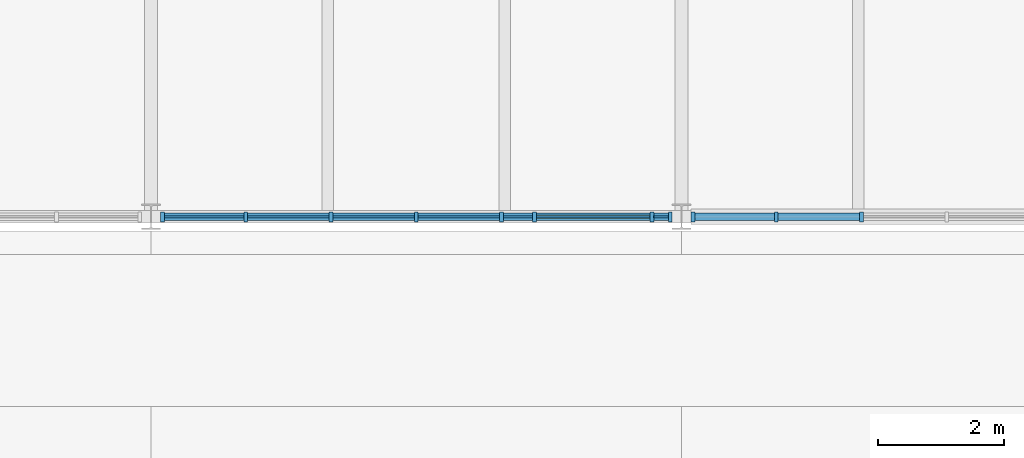
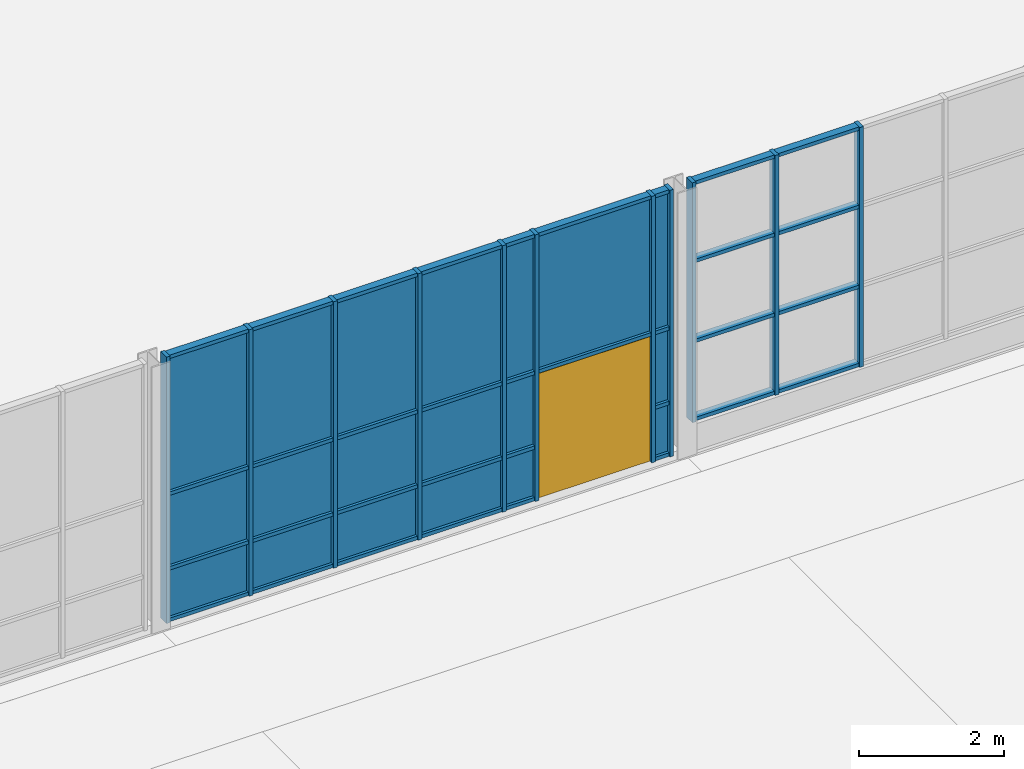
# One storey, part 43 of 116: 45 members, 19 plates, 1 door, 1 opening, 2 elements without a shape of their own.
"""IFC4 building model written with IfcOpenShell, lengths in metres."""

from ifc_helpers import new_model, si_unit, direction, frame, frame_2d, origin, origin_2d, place, context, subcontext, project, spatial, rectangle, extrude, material, layer, layer_set, material_profile, profile_set, type_object, element, fill, aggregate, save


model = new_model("IFC4")

# Units and contexts
model_context = context("Model", 3, precision=1e-05, world=origin(), true_north=direction((0.0, 1.0)))
body_context = subcontext(model_context, "Body", "Model", "MODEL_VIEW")
ifc_project = project(units=[si_unit("LENGTHUNIT", "METRE"), si_unit("AREAUNIT", "SQUARE_METRE"), si_unit("VOLUMEUNIT", "CUBIC_METRE"), si_unit("PLANEANGLEUNIT", "RADIAN"), si_unit("MASSUNIT", "GRAM", prefix="KILO")], contexts=[model_context])

# Site, building, storey
site_placement = place(None, origin())
site = spatial("IfcSite", under=ifc_project, at=site_placement, CompositionType="ELEMENT")
building_placement = place(site_placement, origin())
building = spatial("IfcBuilding", under=site, at=building_placement, Name="Ardhachandra Cancer Care Centre", CompositionType="ELEMENT")
storey_placement = place(building_placement, origin())
storey = spatial("IfcBuildingStorey", under=building, at=storey_placement, Name="L00", CompositionType="ELEMENT", Elevation=0.0)

# Curtain wall, opening, members
ifc_material_1 = material(Name="Aluminium extrusion", Category="aluminium")
ifc_layer_1 = layer(ifc_material_1, 0.14990234375)
ifc_layer_set_1 = layer_set([ifc_layer_1], Name="Aluminium extrusion")
curtain_wall_type = type_object("IfcCurtainWallType", Name="Curtain wall run", PredefinedType="NOTDEFINED", material=ifc_layer_set_1)
curtain_wall_1_placement = place(storey_placement, frame((86.550048828125, 54.60009765625, 0.0), z_axis=(0.0, 0.0, 1.0), x_axis=(1.0, 0.0, 0.0)))
curtain_wall_1 = element("IfcCurtainWall", 1, at=curtain_wall_1_placement, inside=storey, type_object=curtain_wall_type, Name="Curtain wall L00 s/0086400_0054600", PredefinedType="NOTDEFINED")
opening_placement = place(curtain_wall_1_placement, frame((5.949951171875, 0.0, 0.0)))
opening = element("IfcOpeningElement", 2, at=opening_placement, cuts=curtain_wall_1, Name="Opening L00-X13", PredefinedType="OPENING", context=body_context, shape_type="SweptSolid", body=[
    extrude(rectangle(XDim=1.800048828125, YDim=2.10009765625, at=frame_2d((0.89990234375, 1.050048828125))), frame((0.0, 0.0849609375, 0.0), z_axis=(0.0, -1.0, 0.0), x_axis=(1.0, 0.0, 0.0)), (0.0, 0.0, 1.0), 0.169921875),
])
ifc_material_2 = material(Name="Aluminium extrusion", Category="aluminium")
ifc_material_profile_1 = material_profile(ifc_material_2, rectangle(XDim=0.159912109375, YDim=0.06005859375, at=origin_2d()), Name="Curtain wall mullion 60 x 160")
ifc_profile_set_1 = profile_set([ifc_material_profile_1], Name="Aluminium extrusion")
member_type_1 = type_object("IfcMemberType", Name="Curtain wall mullion 60 x 160", PredefinedType="MULLION", material=ifc_profile_set_1)
member_1_placement = place(storey_placement, frame((86.580078125, 54.60009765625, 0.0), z_axis=(0.0, 0.0, 1.0), x_axis=(0.0, 1.0, 0.0)))
member_1 = element("IfcMember", 3, at=member_1_placement, type_object=member_type_1, Name="CW mullion 1", PredefinedType="MULLION", context=body_context, shape_type="SweptSolid", body=[
    extrude(rectangle(XDim=0.159912109375, YDim=0.06005859375, at=origin_2d()), origin(), (0.0, 0.0, 1.0), 4.5),
])
member_2_placement = place(storey_placement, frame((87.89990234375, 54.60009765625, 0.0), z_axis=(0.0, 0.0, 1.0), x_axis=(0.0, 1.0, 0.0)))
member_2 = element("IfcMember", 4, at=member_2_placement, type_object=member_type_1, Name="CW mullion 2", PredefinedType="MULLION", context=body_context, shape_type="SweptSolid", body=[
    extrude(rectangle(XDim=0.159912109375, YDim=0.06005859375, at=origin_2d()), origin(), (0.0, 0.0, 1.0), 4.5),
])
member_3_placement = place(storey_placement, frame((89.25, 54.60009765625, 0.0), z_axis=(0.0, 0.0, 1.0), x_axis=(0.0, 1.0, 0.0)))
member_3 = element("IfcMember", 5, at=member_3_placement, type_object=member_type_1, Name="CW mullion 3", PredefinedType="MULLION", context=body_context, shape_type="SweptSolid", body=[
    extrude(rectangle(XDim=0.159912109375, YDim=0.06005859375, at=origin_2d()), origin(), (0.0, 0.0, 1.0), 4.5),
])
member_4_placement = place(storey_placement, frame((90.60009765625, 54.60009765625, 0.0), z_axis=(0.0, 0.0, 1.0), x_axis=(0.0, 1.0, 0.0)))
member_4 = element("IfcMember", 6, at=member_4_placement, type_object=member_type_1, Name="CW mullion 4", PredefinedType="MULLION", context=body_context, shape_type="SweptSolid", body=[
    extrude(rectangle(XDim=0.159912109375, YDim=0.06005859375, at=origin_2d()), origin(), (0.0, 0.0, 1.0), 4.5),
])
member_5_placement = place(storey_placement, frame((91.949951171875, 54.60009765625, 0.0), z_axis=(0.0, 0.0, 1.0), x_axis=(0.0, 1.0, 0.0)))
member_5 = element("IfcMember", 7, at=member_5_placement, type_object=member_type_1, Name="CW mullion 5", PredefinedType="MULLION", context=body_context, shape_type="SweptSolid", body=[
    extrude(rectangle(XDim=0.159912109375, YDim=0.06005859375, at=origin_2d()), origin(), (0.0, 0.0, 1.0), 4.5),
])
member_6_placement = place(storey_placement, frame((92.469970703125, 54.60009765625, 0.0), z_axis=(0.0, 0.0, 1.0), x_axis=(0.0, 1.0, 0.0)))
member_6 = element("IfcMember", 8, at=member_6_placement, type_object=member_type_1, Name="CW mullion 6", PredefinedType="MULLION", context=body_context, shape_type="SweptSolid", body=[
    extrude(rectangle(XDim=0.159912109375, YDim=0.06005859375, at=origin_2d()), origin(), (0.0, 0.0, 1.0), 4.5),
])
member_7_placement = place(storey_placement, frame((94.330078125, 54.60009765625, 0.0), z_axis=(0.0, 0.0, 1.0), x_axis=(0.0, 1.0, 0.0)))
member_7 = element("IfcMember", 9, at=member_7_placement, type_object=member_type_1, Name="CW mullion 7", PredefinedType="MULLION", context=body_context, shape_type="SweptSolid", body=[
    extrude(rectangle(XDim=0.159912109375, YDim=0.06005859375, at=origin_2d()), origin(), (0.0, 0.0, 1.0), 4.5),
])
member_8_placement = place(storey_placement, frame((94.6201171875, 54.60009765625, 0.0), z_axis=(0.0, 0.0, 1.0), x_axis=(0.0, 1.0, 0.0)))
member_8 = element("IfcMember", 10, at=member_8_placement, type_object=member_type_1, Name="CW mullion 8", PredefinedType="MULLION", context=body_context, shape_type="SweptSolid", body=[
    extrude(rectangle(XDim=0.159912109375, YDim=0.06005859375, at=origin_2d()), origin(), (0.0, 0.0, 1.0), 4.5),
])

# Curtain wall, members
curtain_wall_2_placement = place(storey_placement, origin())
curtain_wall_2 = element("IfcCurtainWall", 11, at=curtain_wall_2_placement, inside=storey, type_object=curtain_wall_type, Name="Curtain wall L00 s/0094800_0054600", PredefinedType="NOTDEFINED")
member_9_placement = place(storey_placement, frame((94.97998046875, 54.60009765625, 0.449951171875), z_axis=(0.0, 0.0, 1.0), x_axis=(0.0, 1.0, 0.0)))
member_9 = element("IfcMember", 12, at=member_9_placement, type_object=member_type_1, Name="CW mullion 1", PredefinedType="MULLION", context=body_context, shape_type="SweptSolid", body=[
    extrude(rectangle(XDim=0.159912109375, YDim=0.06005859375, at=origin_2d()), origin(), (0.0, 0.0, 1.0), 4.050048828125),
])
member_10_placement = place(storey_placement, frame((96.300048828125, 54.60009765625, 0.449951171875), z_axis=(0.0, 0.0, 1.0), x_axis=(0.0, 1.0, 0.0)))
member_10 = element("IfcMember", 13, at=member_10_placement, type_object=member_type_1, Name="CW mullion 2", PredefinedType="MULLION", context=body_context, shape_type="SweptSolid", body=[
    extrude(rectangle(XDim=0.159912109375, YDim=0.06005859375, at=origin_2d()), origin(), (0.0, 0.0, 1.0), 4.050048828125),
])
member_11_placement = place(storey_placement, frame((97.64990234375, 54.60009765625, 0.449951171875), z_axis=(0.0, 0.0, 1.0), x_axis=(0.0, 1.0, 0.0)))
member_11 = element("IfcMember", 14, at=member_11_placement, type_object=member_type_1, Name="CW mullion 3", PredefinedType="MULLION", context=body_context, shape_type="SweptSolid", body=[
    extrude(rectangle(XDim=0.159912109375, YDim=0.06005859375, at=origin_2d()), origin(), (0.0, 0.0, 1.0), 4.050048828125),
])

# Member
ifc_material_3 = material(Name="Aluminium extrusion", Category="aluminium")
ifc_material_profile_2 = material_profile(ifc_material_3, rectangle(XDim=0.1201171875, YDim=0.06005859375, at=origin_2d()), Name="Curtain wall transom 60 x 120")
ifc_profile_set_2 = profile_set([ifc_material_profile_2], Name="Aluminium extrusion")
member_type_2 = type_object("IfcMemberType", Name="Curtain wall transom 60 x 120", PredefinedType="USERDEFINED", material=ifc_profile_set_2)
member_12_placement = place(storey_placement, frame((86.610107421875, 54.60009765625, 0.030029296875), z_axis=(1.0, 0.0, 0.0), x_axis=(0.0, 1.0, 0.0)))
member_12 = element("IfcMember", 15, at=member_12_placement, type_object=member_type_2, Name="CW transom 1.1", ObjectType="TRANSOM", PredefinedType="USERDEFINED", context=body_context, shape_type="SweptSolid", body=[
    extrude(rectangle(XDim=0.1201171875, YDim=0.06005859375, at=origin_2d()), origin(), (0.0, 0.0, 1.0), 1.260009765625),
])

member_13_placement = place(storey_placement, frame((86.610107421875, 54.60009765625, 0.89990234375), z_axis=(1.0, 0.0, 0.0), x_axis=(0.0, 1.0, 0.0)))
member_13 = element("IfcMember", 16, at=member_13_placement, type_object=member_type_2, Name="CW transom 1.2", ObjectType="TRANSOM", PredefinedType="USERDEFINED", context=body_context, shape_type="SweptSolid", body=[
    extrude(rectangle(XDim=0.1201171875, YDim=0.06005859375, at=origin_2d()), origin(), (0.0, 0.0, 1.0), 1.260009765625),
])

member_14_placement = place(storey_placement, frame((86.610107421875, 54.60009765625, 2.159912109375), z_axis=(1.0, 0.0, 0.0), x_axis=(0.0, 1.0, 0.0)))
member_14 = element("IfcMember", 17, at=member_14_placement, type_object=member_type_2, Name="CW transom 1.3", ObjectType="TRANSOM", PredefinedType="USERDEFINED", context=body_context, shape_type="SweptSolid", body=[
    extrude(rectangle(XDim=0.1201171875, YDim=0.06005859375, at=origin_2d()), origin(), (0.0, 0.0, 1.0), 1.260009765625),
])

member_15_placement = place(storey_placement, frame((86.610107421875, 54.60009765625, 4.469970703125), z_axis=(1.0, 0.0, 0.0), x_axis=(0.0, 1.0, 0.0)))
member_15 = element("IfcMember", 18, at=member_15_placement, type_object=member_type_2, Name="CW transom 1.4", ObjectType="TRANSOM", PredefinedType="USERDEFINED", context=body_context, shape_type="SweptSolid", body=[
    extrude(rectangle(XDim=0.1201171875, YDim=0.06005859375, at=origin_2d()), origin(), (0.0, 0.0, 1.0), 1.260009765625),
])

member_16_placement = place(storey_placement, frame((87.929931640625, 54.60009765625, 0.030029296875), z_axis=(1.0, 0.0, 0.0), x_axis=(0.0, 1.0, 0.0)))
member_16 = element("IfcMember", 19, at=member_16_placement, type_object=member_type_2, Name="CW transom 2.1", ObjectType="TRANSOM", PredefinedType="USERDEFINED", context=body_context, shape_type="SweptSolid", body=[
    extrude(rectangle(XDim=0.1201171875, YDim=0.06005859375, at=origin_2d()), origin(), (0.0, 0.0, 1.0), 1.2900390625),
])

member_17_placement = place(storey_placement, frame((87.929931640625, 54.60009765625, 0.89990234375), z_axis=(1.0, 0.0, 0.0), x_axis=(0.0, 1.0, 0.0)))
member_17 = element("IfcMember", 20, at=member_17_placement, type_object=member_type_2, Name="CW transom 2.2", ObjectType="TRANSOM", PredefinedType="USERDEFINED", context=body_context, shape_type="SweptSolid", body=[
    extrude(rectangle(XDim=0.1201171875, YDim=0.06005859375, at=origin_2d()), origin(), (0.0, 0.0, 1.0), 1.2900390625),
])

member_18_placement = place(storey_placement, frame((87.929931640625, 54.60009765625, 2.159912109375), z_axis=(1.0, 0.0, 0.0), x_axis=(0.0, 1.0, 0.0)))
member_18 = element("IfcMember", 21, at=member_18_placement, type_object=member_type_2, Name="CW transom 2.3", ObjectType="TRANSOM", PredefinedType="USERDEFINED", context=body_context, shape_type="SweptSolid", body=[
    extrude(rectangle(XDim=0.1201171875, YDim=0.06005859375, at=origin_2d()), origin(), (0.0, 0.0, 1.0), 1.2900390625),
])

member_19_placement = place(storey_placement, frame((87.929931640625, 54.60009765625, 4.469970703125), z_axis=(1.0, 0.0, 0.0), x_axis=(0.0, 1.0, 0.0)))
member_19 = element("IfcMember", 22, at=member_19_placement, type_object=member_type_2, Name="CW transom 2.4", ObjectType="TRANSOM", PredefinedType="USERDEFINED", context=body_context, shape_type="SweptSolid", body=[
    extrude(rectangle(XDim=0.1201171875, YDim=0.06005859375, at=origin_2d()), origin(), (0.0, 0.0, 1.0), 1.2900390625),
])

member_20_placement = place(storey_placement, frame((89.280029296875, 54.60009765625, 0.030029296875), z_axis=(1.0, 0.0, 0.0), x_axis=(0.0, 1.0, 0.0)))
member_20 = element("IfcMember", 23, at=member_20_placement, type_object=member_type_2, Name="CW transom 3.1", ObjectType="TRANSOM", PredefinedType="USERDEFINED", context=body_context, shape_type="SweptSolid", body=[
    extrude(rectangle(XDim=0.1201171875, YDim=0.06005859375, at=origin_2d()), origin(), (0.0, 0.0, 1.0), 1.2900390625),
])

member_21_placement = place(storey_placement, frame((89.280029296875, 54.60009765625, 0.89990234375), z_axis=(1.0, 0.0, 0.0), x_axis=(0.0, 1.0, 0.0)))
member_21 = element("IfcMember", 24, at=member_21_placement, type_object=member_type_2, Name="CW transom 3.2", ObjectType="TRANSOM", PredefinedType="USERDEFINED", context=body_context, shape_type="SweptSolid", body=[
    extrude(rectangle(XDim=0.1201171875, YDim=0.06005859375, at=origin_2d()), origin(), (0.0, 0.0, 1.0), 1.2900390625),
])

member_22_placement = place(storey_placement, frame((89.280029296875, 54.60009765625, 2.159912109375), z_axis=(1.0, 0.0, 0.0), x_axis=(0.0, 1.0, 0.0)))
member_22 = element("IfcMember", 25, at=member_22_placement, type_object=member_type_2, Name="CW transom 3.3", ObjectType="TRANSOM", PredefinedType="USERDEFINED", context=body_context, shape_type="SweptSolid", body=[
    extrude(rectangle(XDim=0.1201171875, YDim=0.06005859375, at=origin_2d()), origin(), (0.0, 0.0, 1.0), 1.2900390625),
])

member_23_placement = place(storey_placement, frame((89.280029296875, 54.60009765625, 4.469970703125), z_axis=(1.0, 0.0, 0.0), x_axis=(0.0, 1.0, 0.0)))
member_23 = element("IfcMember", 26, at=member_23_placement, type_object=member_type_2, Name="CW transom 3.4", ObjectType="TRANSOM", PredefinedType="USERDEFINED", context=body_context, shape_type="SweptSolid", body=[
    extrude(rectangle(XDim=0.1201171875, YDim=0.06005859375, at=origin_2d()), origin(), (0.0, 0.0, 1.0), 1.2900390625),
])

member_24_placement = place(storey_placement, frame((90.6298828125, 54.60009765625, 0.030029296875), z_axis=(1.0, 0.0, 0.0), x_axis=(0.0, 1.0, 0.0)))
member_24 = element("IfcMember", 27, at=member_24_placement, type_object=member_type_2, Name="CW transom 4.1", ObjectType="TRANSOM", PredefinedType="USERDEFINED", context=body_context, shape_type="SweptSolid", body=[
    extrude(rectangle(XDim=0.1201171875, YDim=0.06005859375, at=origin_2d()), origin(), (0.0, 0.0, 1.0), 1.2900390625),
])

member_25_placement = place(storey_placement, frame((90.6298828125, 54.60009765625, 0.89990234375), z_axis=(1.0, 0.0, 0.0), x_axis=(0.0, 1.0, 0.0)))
member_25 = element("IfcMember", 28, at=member_25_placement, type_object=member_type_2, Name="CW transom 4.2", ObjectType="TRANSOM", PredefinedType="USERDEFINED", context=body_context, shape_type="SweptSolid", body=[
    extrude(rectangle(XDim=0.1201171875, YDim=0.06005859375, at=origin_2d()), origin(), (0.0, 0.0, 1.0), 1.2900390625),
])

member_26_placement = place(storey_placement, frame((90.6298828125, 54.60009765625, 2.159912109375), z_axis=(1.0, 0.0, 0.0), x_axis=(0.0, 1.0, 0.0)))
member_26 = element("IfcMember", 29, at=member_26_placement, type_object=member_type_2, Name="CW transom 4.3", ObjectType="TRANSOM", PredefinedType="USERDEFINED", context=body_context, shape_type="SweptSolid", body=[
    extrude(rectangle(XDim=0.1201171875, YDim=0.06005859375, at=origin_2d()), origin(), (0.0, 0.0, 1.0), 1.2900390625),
])

member_27_placement = place(storey_placement, frame((90.6298828125, 54.60009765625, 4.469970703125), z_axis=(1.0, 0.0, 0.0), x_axis=(0.0, 1.0, 0.0)))
member_27 = element("IfcMember", 30, at=member_27_placement, type_object=member_type_2, Name="CW transom 4.4", ObjectType="TRANSOM", PredefinedType="USERDEFINED", context=body_context, shape_type="SweptSolid", body=[
    extrude(rectangle(XDim=0.1201171875, YDim=0.06005859375, at=origin_2d()), origin(), (0.0, 0.0, 1.0), 1.2900390625),
])

member_28_placement = place(storey_placement, frame((91.97998046875, 54.60009765625, 0.030029296875), z_axis=(1.0, 0.0, 0.0), x_axis=(0.0, 1.0, 0.0)))
member_28 = element("IfcMember", 31, at=member_28_placement, type_object=member_type_2, Name="CW transom 5.1", ObjectType="TRANSOM", PredefinedType="USERDEFINED", context=body_context, shape_type="SweptSolid", body=[
    extrude(rectangle(XDim=0.1201171875, YDim=0.06005859375, at=origin_2d()), origin(), (0.0, 0.0, 1.0), 0.4599609375),
])

member_29_placement = place(storey_placement, frame((91.97998046875, 54.60009765625, 0.89990234375), z_axis=(1.0, 0.0, 0.0), x_axis=(0.0, 1.0, 0.0)))
member_29 = element("IfcMember", 32, at=member_29_placement, type_object=member_type_2, Name="CW transom 5.2", ObjectType="TRANSOM", PredefinedType="USERDEFINED", context=body_context, shape_type="SweptSolid", body=[
    extrude(rectangle(XDim=0.1201171875, YDim=0.06005859375, at=origin_2d()), origin(), (0.0, 0.0, 1.0), 0.4599609375),
])

member_30_placement = place(storey_placement, frame((91.97998046875, 54.60009765625, 2.159912109375), z_axis=(1.0, 0.0, 0.0), x_axis=(0.0, 1.0, 0.0)))
member_30 = element("IfcMember", 33, at=member_30_placement, type_object=member_type_2, Name="CW transom 5.3", ObjectType="TRANSOM", PredefinedType="USERDEFINED", context=body_context, shape_type="SweptSolid", body=[
    extrude(rectangle(XDim=0.1201171875, YDim=0.06005859375, at=origin_2d()), origin(), (0.0, 0.0, 1.0), 0.4599609375),
])

member_31_placement = place(storey_placement, frame((91.97998046875, 54.60009765625, 4.469970703125), z_axis=(1.0, 0.0, 0.0), x_axis=(0.0, 1.0, 0.0)))
member_31 = element("IfcMember", 34, at=member_31_placement, type_object=member_type_2, Name="CW transom 5.4", ObjectType="TRANSOM", PredefinedType="USERDEFINED", context=body_context, shape_type="SweptSolid", body=[
    extrude(rectangle(XDim=0.1201171875, YDim=0.06005859375, at=origin_2d()), origin(), (0.0, 0.0, 1.0), 0.4599609375),
])

member_32_placement = place(storey_placement, frame((92.5, 54.60009765625, 2.159912109375), z_axis=(1.0, 0.0, 0.0), x_axis=(0.0, 1.0, 0.0)))
member_32 = element("IfcMember", 35, at=member_32_placement, type_object=member_type_2, Name="CW transom 6.1", ObjectType="TRANSOM", PredefinedType="USERDEFINED", context=body_context, shape_type="SweptSolid", body=[
    extrude(rectangle(XDim=0.1201171875, YDim=0.06005859375, at=origin_2d()), origin(), (0.0, 0.0, 1.0), 1.800048828125),
])

member_33_placement = place(storey_placement, frame((92.5, 54.60009765625, 4.469970703125), z_axis=(1.0, 0.0, 0.0), x_axis=(0.0, 1.0, 0.0)))
member_33 = element("IfcMember", 36, at=member_33_placement, type_object=member_type_2, Name="CW transom 6.2", ObjectType="TRANSOM", PredefinedType="USERDEFINED", context=body_context, shape_type="SweptSolid", body=[
    extrude(rectangle(XDim=0.1201171875, YDim=0.06005859375, at=origin_2d()), origin(), (0.0, 0.0, 1.0), 1.800048828125),
])

member_34_placement = place(storey_placement, frame((94.360107421875, 54.60009765625, 0.030029296875), z_axis=(1.0, 0.0, 0.0), x_axis=(0.0, 1.0, 0.0)))
member_34 = element("IfcMember", 37, at=member_34_placement, type_object=member_type_2, Name="CW transom 7.1", ObjectType="TRANSOM", PredefinedType="USERDEFINED", context=body_context, shape_type="SweptSolid", body=[
    extrude(rectangle(XDim=0.1201171875, YDim=0.06005859375, at=origin_2d()), origin(), (0.0, 0.0, 1.0), 0.22998046875),
])

member_35_placement = place(storey_placement, frame((94.360107421875, 54.60009765625, 0.89990234375), z_axis=(1.0, 0.0, 0.0), x_axis=(0.0, 1.0, 0.0)))
member_35 = element("IfcMember", 38, at=member_35_placement, type_object=member_type_2, Name="CW transom 7.2", ObjectType="TRANSOM", PredefinedType="USERDEFINED", context=body_context, shape_type="SweptSolid", body=[
    extrude(rectangle(XDim=0.1201171875, YDim=0.06005859375, at=origin_2d()), origin(), (0.0, 0.0, 1.0), 0.22998046875),
])

member_36_placement = place(storey_placement, frame((94.360107421875, 54.60009765625, 2.159912109375), z_axis=(1.0, 0.0, 0.0), x_axis=(0.0, 1.0, 0.0)))
member_36 = element("IfcMember", 39, at=member_36_placement, type_object=member_type_2, Name="CW transom 7.3", ObjectType="TRANSOM", PredefinedType="USERDEFINED", context=body_context, shape_type="SweptSolid", body=[
    extrude(rectangle(XDim=0.1201171875, YDim=0.06005859375, at=origin_2d()), origin(), (0.0, 0.0, 1.0), 0.22998046875),
])

member_37_placement = place(storey_placement, frame((94.360107421875, 54.60009765625, 4.469970703125), z_axis=(1.0, 0.0, 0.0), x_axis=(0.0, 1.0, 0.0)))
member_37 = element("IfcMember", 40, at=member_37_placement, type_object=member_type_2, Name="CW transom 7.4", ObjectType="TRANSOM", PredefinedType="USERDEFINED", context=body_context, shape_type="SweptSolid", body=[
    extrude(rectangle(XDim=0.1201171875, YDim=0.06005859375, at=origin_2d()), origin(), (0.0, 0.0, 1.0), 0.22998046875),
])

member_38_placement = place(storey_placement, frame((95.010009765625, 54.60009765625, 0.47998046875), z_axis=(1.0, 0.0, 0.0), x_axis=(0.0, 1.0, 0.0)))
member_38 = element("IfcMember", 41, at=member_38_placement, type_object=member_type_2, Name="CW transom 1.1", ObjectType="TRANSOM", PredefinedType="USERDEFINED", context=body_context, shape_type="SweptSolid", body=[
    extrude(rectangle(XDim=0.1201171875, YDim=0.06005859375, at=origin_2d()), origin(), (0.0, 0.0, 1.0), 1.260009765625),
])

member_39_placement = place(storey_placement, frame((95.010009765625, 54.60009765625, 1.800048828125), z_axis=(1.0, 0.0, 0.0), x_axis=(0.0, 1.0, 0.0)))
member_39 = element("IfcMember", 42, at=member_39_placement, type_object=member_type_2, Name="CW transom 1.2", ObjectType="TRANSOM", PredefinedType="USERDEFINED", context=body_context, shape_type="SweptSolid", body=[
    extrude(rectangle(XDim=0.1201171875, YDim=0.06005859375, at=origin_2d()), origin(), (0.0, 0.0, 1.0), 1.260009765625),
])

member_40_placement = place(storey_placement, frame((95.010009765625, 54.60009765625, 3.14990234375), z_axis=(1.0, 0.0, 0.0), x_axis=(0.0, 1.0, 0.0)))
member_40 = element("IfcMember", 43, at=member_40_placement, type_object=member_type_2, Name="CW transom 1.3", ObjectType="TRANSOM", PredefinedType="USERDEFINED", context=body_context, shape_type="SweptSolid", body=[
    extrude(rectangle(XDim=0.1201171875, YDim=0.06005859375, at=origin_2d()), origin(), (0.0, 0.0, 1.0), 1.260009765625),
])

member_41_placement = place(storey_placement, frame((95.010009765625, 54.60009765625, 4.469970703125), z_axis=(1.0, 0.0, 0.0), x_axis=(0.0, 1.0, 0.0)))
member_41 = element("IfcMember", 44, at=member_41_placement, type_object=member_type_2, Name="CW transom 1.4", ObjectType="TRANSOM", PredefinedType="USERDEFINED", context=body_context, shape_type="SweptSolid", body=[
    extrude(rectangle(XDim=0.1201171875, YDim=0.06005859375, at=origin_2d()), origin(), (0.0, 0.0, 1.0), 1.260009765625),
])

member_42_placement = place(storey_placement, frame((96.330078125, 54.60009765625, 0.47998046875), z_axis=(1.0, 0.0, 0.0), x_axis=(0.0, 1.0, 0.0)))
member_42 = element("IfcMember", 45, at=member_42_placement, type_object=member_type_2, Name="CW transom 2.1", ObjectType="TRANSOM", PredefinedType="USERDEFINED", context=body_context, shape_type="SweptSolid", body=[
    extrude(rectangle(XDim=0.1201171875, YDim=0.06005859375, at=origin_2d()), origin(), (0.0, 0.0, 1.0), 1.2900390625),
])

member_43_placement = place(storey_placement, frame((96.330078125, 54.60009765625, 1.800048828125), z_axis=(1.0, 0.0, 0.0), x_axis=(0.0, 1.0, 0.0)))
member_43 = element("IfcMember", 46, at=member_43_placement, type_object=member_type_2, Name="CW transom 2.2", ObjectType="TRANSOM", PredefinedType="USERDEFINED", context=body_context, shape_type="SweptSolid", body=[
    extrude(rectangle(XDim=0.1201171875, YDim=0.06005859375, at=origin_2d()), origin(), (0.0, 0.0, 1.0), 1.2900390625),
])

member_44_placement = place(storey_placement, frame((96.330078125, 54.60009765625, 3.14990234375), z_axis=(1.0, 0.0, 0.0), x_axis=(0.0, 1.0, 0.0)))
member_44 = element("IfcMember", 47, at=member_44_placement, type_object=member_type_2, Name="CW transom 2.3", ObjectType="TRANSOM", PredefinedType="USERDEFINED", context=body_context, shape_type="SweptSolid", body=[
    extrude(rectangle(XDim=0.1201171875, YDim=0.06005859375, at=origin_2d()), origin(), (0.0, 0.0, 1.0), 1.2900390625),
])

member_45_placement = place(storey_placement, frame((96.330078125, 54.60009765625, 4.469970703125), z_axis=(1.0, 0.0, 0.0), x_axis=(0.0, 1.0, 0.0)))
member_45 = element("IfcMember", 48, at=member_45_placement, type_object=member_type_2, Name="CW transom 2.4", ObjectType="TRANSOM", PredefinedType="USERDEFINED", context=body_context, shape_type="SweptSolid", body=[
    extrude(rectangle(XDim=0.1201171875, YDim=0.06005859375, at=origin_2d()), origin(), (0.0, 0.0, 1.0), 1.2900390625),
])

aggregate(curtain_wall_2, [member_9, member_10, member_11, member_38, member_39, member_40, member_41, member_42, member_43, member_44, member_45])

# Plate
ifc_material_4 = material(Name="Low-iron double-glazed unit")
ifc_layer_2 = layer(ifc_material_4, 0.028076171875)
ifc_layer_set_2 = layer_set([ifc_layer_2], Name="Low-iron double-glazed unit")
plate_type = type_object("IfcPlateType", Name="Curtain wall glazing 28", PredefinedType="CURTAIN_PANEL", material=ifc_layer_set_2)
plate_1_placement = place(storey_placement, frame((87.239990234375, 54.60009765625, 0.06005859375), z_axis=(0.0, 0.0, 1.0), x_axis=(1.0, 0.0, 0.0)))
plate_1 = element("IfcPlate", 49, at=plate_1_placement, type_object=plate_type, Name="CW panel 1.1", PredefinedType="CURTAIN_PANEL", context=body_context, shape_type="SweptSolid", body=[
    extrude(rectangle(XDim=1.260009765625, YDim=0.028076171875, at=origin_2d()), origin(), (0.0, 0.0, 1.0), 0.81005859375),
])

plate_2_placement = place(storey_placement, frame((87.239990234375, 54.60009765625, 0.93017578125), z_axis=(0.0, 0.0, 1.0), x_axis=(1.0, 0.0, 0.0)))
plate_2 = element("IfcPlate", 50, at=plate_2_placement, type_object=plate_type, Name="CW panel 1.2", PredefinedType="CURTAIN_PANEL", context=body_context, shape_type="SweptSolid", body=[
    extrude(rectangle(XDim=1.260009765625, YDim=0.028076171875, at=origin_2d()), origin(), (0.0, 0.0, 1.0), 1.199951171875),
])

plate_3_placement = place(storey_placement, frame((87.239990234375, 54.60009765625, 2.18994140625), z_axis=(0.0, 0.0, 1.0), x_axis=(1.0, 0.0, 0.0)))
plate_3 = element("IfcPlate", 51, at=plate_3_placement, type_object=plate_type, Name="CW panel 1.3", PredefinedType="CURTAIN_PANEL", context=body_context, shape_type="SweptSolid", body=[
    extrude(rectangle(XDim=1.260009765625, YDim=0.028076171875, at=origin_2d()), origin(), (0.0, 0.0, 1.0), 2.25),
])

plate_4_placement = place(storey_placement, frame((88.574951171875, 54.60009765625, 0.06005859375), z_axis=(0.0, 0.0, 1.0), x_axis=(1.0, 0.0, 0.0)))
plate_4 = element("IfcPlate", 52, at=plate_4_placement, type_object=plate_type, Name="CW panel 2.1", PredefinedType="CURTAIN_PANEL", context=body_context, shape_type="SweptSolid", body=[
    extrude(rectangle(XDim=1.2900390625, YDim=0.028076171875, at=origin_2d()), origin(), (0.0, 0.0, 1.0), 0.81005859375),
])

plate_5_placement = place(storey_placement, frame((88.574951171875, 54.60009765625, 0.93017578125), z_axis=(0.0, 0.0, 1.0), x_axis=(1.0, 0.0, 0.0)))
plate_5 = element("IfcPlate", 53, at=plate_5_placement, type_object=plate_type, Name="CW panel 2.2", PredefinedType="CURTAIN_PANEL", context=body_context, shape_type="SweptSolid", body=[
    extrude(rectangle(XDim=1.2900390625, YDim=0.028076171875, at=origin_2d()), origin(), (0.0, 0.0, 1.0), 1.199951171875),
])

plate_6_placement = place(storey_placement, frame((88.574951171875, 54.60009765625, 2.18994140625), z_axis=(0.0, 0.0, 1.0), x_axis=(1.0, 0.0, 0.0)))
plate_6 = element("IfcPlate", 54, at=plate_6_placement, type_object=plate_type, Name="CW panel 2.3", PredefinedType="CURTAIN_PANEL", context=body_context, shape_type="SweptSolid", body=[
    extrude(rectangle(XDim=1.2900390625, YDim=0.028076171875, at=origin_2d()), origin(), (0.0, 0.0, 1.0), 2.25),
])

plate_7_placement = place(storey_placement, frame((89.925048828125, 54.60009765625, 0.06005859375), z_axis=(0.0, 0.0, 1.0), x_axis=(1.0, 0.0, 0.0)))
plate_7 = element("IfcPlate", 55, at=plate_7_placement, type_object=plate_type, Name="CW panel 3.1", PredefinedType="CURTAIN_PANEL", context=body_context, shape_type="SweptSolid", body=[
    extrude(rectangle(XDim=1.2900390625, YDim=0.028076171875, at=origin_2d()), origin(), (0.0, 0.0, 1.0), 0.81005859375),
])

plate_8_placement = place(storey_placement, frame((89.925048828125, 54.60009765625, 0.93017578125), z_axis=(0.0, 0.0, 1.0), x_axis=(1.0, 0.0, 0.0)))
plate_8 = element("IfcPlate", 56, at=plate_8_placement, type_object=plate_type, Name="CW panel 3.2", PredefinedType="CURTAIN_PANEL", context=body_context, shape_type="SweptSolid", body=[
    extrude(rectangle(XDim=1.2900390625, YDim=0.028076171875, at=origin_2d()), origin(), (0.0, 0.0, 1.0), 1.199951171875),
])

plate_9_placement = place(storey_placement, frame((89.925048828125, 54.60009765625, 2.18994140625), z_axis=(0.0, 0.0, 1.0), x_axis=(1.0, 0.0, 0.0)))
plate_9 = element("IfcPlate", 57, at=plate_9_placement, type_object=plate_type, Name="CW panel 3.3", PredefinedType="CURTAIN_PANEL", context=body_context, shape_type="SweptSolid", body=[
    extrude(rectangle(XDim=1.2900390625, YDim=0.028076171875, at=origin_2d()), origin(), (0.0, 0.0, 1.0), 2.25),
])

plate_10_placement = place(storey_placement, frame((91.27490234375, 54.60009765625, 0.06005859375), z_axis=(0.0, 0.0, 1.0), x_axis=(1.0, 0.0, 0.0)))
plate_10 = element("IfcPlate", 58, at=plate_10_placement, type_object=plate_type, Name="CW panel 4.1", PredefinedType="CURTAIN_PANEL", context=body_context, shape_type="SweptSolid", body=[
    extrude(rectangle(XDim=1.2900390625, YDim=0.028076171875, at=origin_2d()), origin(), (0.0, 0.0, 1.0), 0.81005859375),
])

plate_11_placement = place(storey_placement, frame((91.27490234375, 54.60009765625, 0.93017578125), z_axis=(0.0, 0.0, 1.0), x_axis=(1.0, 0.0, 0.0)))
plate_11 = element("IfcPlate", 59, at=plate_11_placement, type_object=plate_type, Name="CW panel 4.2", PredefinedType="CURTAIN_PANEL", context=body_context, shape_type="SweptSolid", body=[
    extrude(rectangle(XDim=1.2900390625, YDim=0.028076171875, at=origin_2d()), origin(), (0.0, 0.0, 1.0), 1.199951171875),
])

plate_12_placement = place(storey_placement, frame((91.27490234375, 54.60009765625, 2.18994140625), z_axis=(0.0, 0.0, 1.0), x_axis=(1.0, 0.0, 0.0)))
plate_12 = element("IfcPlate", 60, at=plate_12_placement, type_object=plate_type, Name="CW panel 4.3", PredefinedType="CURTAIN_PANEL", context=body_context, shape_type="SweptSolid", body=[
    extrude(rectangle(XDim=1.2900390625, YDim=0.028076171875, at=origin_2d()), origin(), (0.0, 0.0, 1.0), 2.25),
])

plate_13_placement = place(storey_placement, frame((92.2099609375, 54.60009765625, 0.06005859375), z_axis=(0.0, 0.0, 1.0), x_axis=(1.0, 0.0, 0.0)))
plate_13 = element("IfcPlate", 61, at=plate_13_placement, type_object=plate_type, Name="CW panel 5.1", PredefinedType="CURTAIN_PANEL", context=body_context, shape_type="SweptSolid", body=[
    extrude(rectangle(XDim=0.4599609375, YDim=0.028076171875, at=origin_2d()), origin(), (0.0, 0.0, 1.0), 0.81005859375),
])

plate_14_placement = place(storey_placement, frame((92.2099609375, 54.60009765625, 0.93017578125), z_axis=(0.0, 0.0, 1.0), x_axis=(1.0, 0.0, 0.0)))
plate_14 = element("IfcPlate", 62, at=plate_14_placement, type_object=plate_type, Name="CW panel 5.2", PredefinedType="CURTAIN_PANEL", context=body_context, shape_type="SweptSolid", body=[
    extrude(rectangle(XDim=0.4599609375, YDim=0.028076171875, at=origin_2d()), origin(), (0.0, 0.0, 1.0), 1.199951171875),
])

plate_15_placement = place(storey_placement, frame((92.2099609375, 54.60009765625, 2.18994140625), z_axis=(0.0, 0.0, 1.0), x_axis=(1.0, 0.0, 0.0)))
plate_15 = element("IfcPlate", 63, at=plate_15_placement, type_object=plate_type, Name="CW panel 5.3", PredefinedType="CURTAIN_PANEL", context=body_context, shape_type="SweptSolid", body=[
    extrude(rectangle(XDim=0.4599609375, YDim=0.028076171875, at=origin_2d()), origin(), (0.0, 0.0, 1.0), 2.25),
])

plate_16_placement = place(storey_placement, frame((93.39990234375, 54.60009765625, 2.18994140625), z_axis=(0.0, 0.0, 1.0), x_axis=(1.0, 0.0, 0.0)))
plate_16 = element("IfcPlate", 64, at=plate_16_placement, type_object=plate_type, Name="CW panel 6.1", PredefinedType="CURTAIN_PANEL", context=body_context, shape_type="SweptSolid", body=[
    extrude(rectangle(XDim=1.800048828125, YDim=0.028076171875, at=origin_2d()), origin(), (0.0, 0.0, 1.0), 2.25),
])

plate_17_placement = place(storey_placement, frame((94.47509765625, 54.60009765625, 0.06005859375), z_axis=(0.0, 0.0, 1.0), x_axis=(1.0, 0.0, 0.0)))
plate_17 = element("IfcPlate", 65, at=plate_17_placement, type_object=plate_type, Name="CW panel 7.1", PredefinedType="CURTAIN_PANEL", context=body_context, shape_type="SweptSolid", body=[
    extrude(rectangle(XDim=0.22998046875, YDim=0.028076171875, at=origin_2d()), origin(), (0.0, 0.0, 1.0), 0.81005859375),
])

plate_18_placement = place(storey_placement, frame((94.47509765625, 54.60009765625, 0.93017578125), z_axis=(0.0, 0.0, 1.0), x_axis=(1.0, 0.0, 0.0)))
plate_18 = element("IfcPlate", 66, at=plate_18_placement, type_object=plate_type, Name="CW panel 7.2", PredefinedType="CURTAIN_PANEL", context=body_context, shape_type="SweptSolid", body=[
    extrude(rectangle(XDim=0.22998046875, YDim=0.028076171875, at=origin_2d()), origin(), (0.0, 0.0, 1.0), 1.199951171875),
])

plate_19_placement = place(storey_placement, frame((94.47509765625, 54.60009765625, 2.18994140625), z_axis=(0.0, 0.0, 1.0), x_axis=(1.0, 0.0, 0.0)))
plate_19 = element("IfcPlate", 67, at=plate_19_placement, type_object=plate_type, Name="CW panel 7.3", PredefinedType="CURTAIN_PANEL", context=body_context, shape_type="SweptSolid", body=[
    extrude(rectangle(XDim=0.22998046875, YDim=0.028076171875, at=origin_2d()), origin(), (0.0, 0.0, 1.0), 2.25),
])

aggregate(curtain_wall_1, [member_1, member_2, member_3, member_4, member_5, member_6, member_7, member_8, member_12, member_13, member_14, member_15, plate_1, plate_2, plate_3, member_16, member_17, member_18, member_19, plate_4, plate_5, plate_6, member_20, member_21, member_22, member_23, plate_7, plate_8, plate_9, member_24, member_25, member_26, member_27, plate_10, plate_11, plate_12, member_28, member_29, member_30, member_31, plate_13, plate_14, plate_15, member_32, member_33, plate_16, member_34, member_35, member_36, member_37, plate_17, plate_18, plate_19])

# Door
ifc_material_5 = material(Name="Hollow steel door set with fire-rated infill", Category="steel")
door_type = type_object("IfcDoorType", Name="Exit door pair 1800 x 2100", OperationType="DOUBLE_DOOR_SINGLE_SWING", PredefinedType="DOOR", material=ifc_material_5)
door_placement = place(opening_placement, origin())
door = element("IfcDoor", 68, at=door_placement, inside=storey, type_object=door_type, Name="Hall Court Exit Door L00-X13", OperationType="SINGLE_SWING_LEFT", OverallHeight=2.10009765625, OverallWidth=1.800048828125, PredefinedType="DOOR", context=body_context, shape_type="SweptSolid", body=[
    extrude(rectangle(XDim=1.800048828125, YDim=2.10009765625, at=frame_2d((0.89990234375, 1.050048828125))), frame((0.0, 0.02490234375, 0.0), z_axis=(0.0, -1.0, 0.0), x_axis=(1.0, 0.0, 0.0)), (0.0, 0.0, 1.0), 0.050048828125),
])

fill(opening, door)

save(model, "model.ifc")
